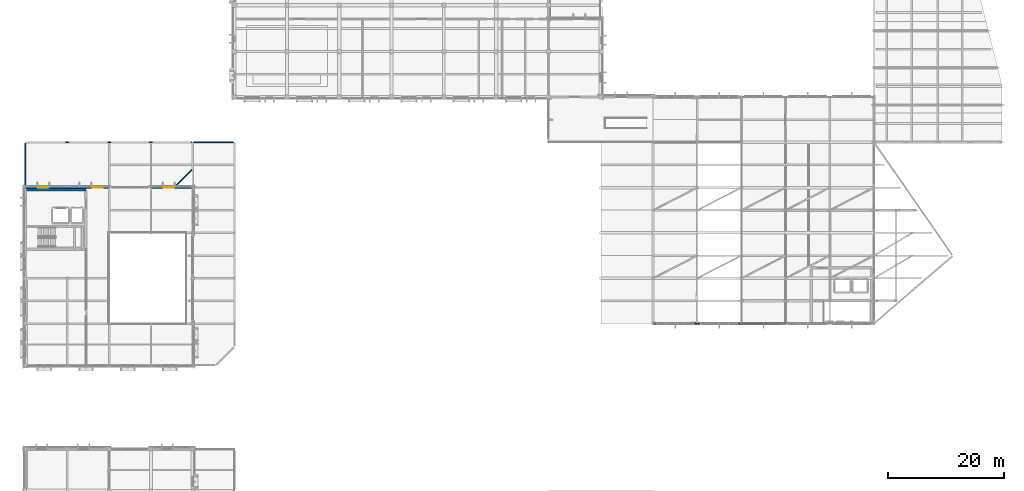
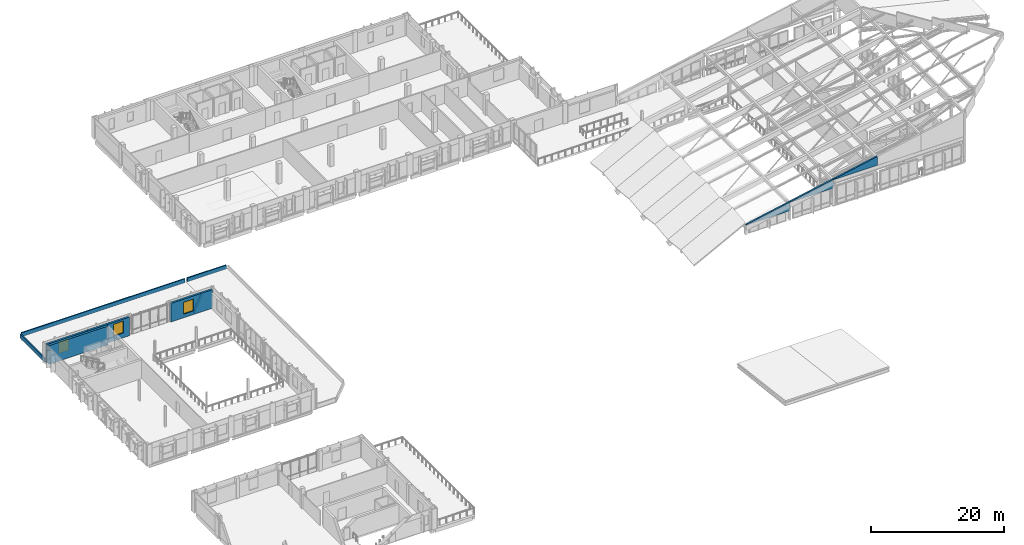
# One storey, part 51 of 73: 11 walls, 3 windows, 3 openings.
"""IFC4 building model written with IfcOpenShell, lengths in metres."""

from ifc_helpers import new_model, si_unit, direction, frame, frame_2d, origin, place, context, subcontext, project, spatial, polyline, rectangle, outline, extrude, material, layer, layer_set, type_object, element, fill, save


model = new_model("IFC4")

# Units and contexts
model_context = context("Model", 3, precision=1e-05, world=origin(), true_north=direction((0.0, 1.0)))
body_context = subcontext(model_context, "Body", "Model", "MODEL_VIEW")
ifc_project = project(units=[si_unit("LENGTHUNIT", "METRE"), si_unit("AREAUNIT", "SQUARE_METRE"), si_unit("VOLUMEUNIT", "CUBIC_METRE"), si_unit("PLANEANGLEUNIT", "RADIAN"), si_unit("MASSUNIT", "GRAM", prefix="KILO")], contexts=[model_context])

# Site, building, storey
site_placement = place(None, origin())
site = spatial("IfcSite", under=ifc_project, at=site_placement, CompositionType="ELEMENT")
building_placement = place(site_placement, origin())
building = spatial("IfcBuilding", under=site, at=building_placement, Name="Vervanel Yard Central Library", CompositionType="ELEMENT")
storey_placement = place(building_placement, frame((0.0, 0.0, 12.780029296875)))
storey = spatial("IfcBuildingStorey", under=building, at=storey_placement, Name="L03", CompositionType="ELEMENT", Elevation=12.780029296875)

# Walls
ifc_material_1 = material(Name="Concrete C40/50", Category="concrete")
ifc_layer_1 = layer(ifc_material_1, 0.280029296875, Category="concrete")
ifc_layer_set_1 = layer_set([ifc_layer_1], Name="Concrete C40/50")
wall_type_1 = type_object("IfcWallType", Name="Board-Marked Concrete Spandrel Wall 280", PredefinedType="SOLIDWALL", material=ifc_layer_set_1)
wall_1_placement = place(storey_placement, frame((108.0, 43.199951171875, 1.679931640625), z_axis=(0.0, 0.0, 1.0), x_axis=(1.0, 0.0, 0.0)))
element("IfcWall", 1, at=wall_1_placement, inside=storey, type_object=wall_type_1, Name="L03 Board-Marked Concrete Spandrel Wall 280 EWALL-L03-0165", PredefinedType="SOLIDWALL", context=body_context, shape_type="SweptSolid", body=[
    extrude(outline(polyline([(0.0, 0.0), (7.60009765625, 0.0), (7.60009765625, 1.6171875), (0.0, 0.10009765625), (0.0, 0.0)])), frame((0.0, 0.14013671875, 0.0), z_axis=(0.0, -1.0, 0.0), x_axis=(1.0, 0.0, 0.0)), (0.0, 0.0, 1.0), 0.280029296875),
])
wall_2_placement = place(storey_placement, frame((115.60009765625, 43.199951171875, 3.197021484375), z_axis=(0.0, 0.0, 1.0), x_axis=(1.0, 0.0, 0.0)))
element("IfcWall", 2, at=wall_2_placement, inside=storey, type_object=wall_type_1, Name="L03 Board-Marked Concrete Spandrel Wall 280 EWALL-L03-0166", PredefinedType="SOLIDWALL", context=body_context, shape_type="SweptSolid", body=[
    extrude(outline(polyline([(0.0, 0.0), (7.599853515625, 0.0), (7.60009765625, 1.616943359375), (0.0, 0.10009765625), (0.0, 0.0)])), frame((0.0, 0.14013671875, 0.0), z_axis=(0.0, -1.0, 0.0), x_axis=(1.0, 0.0, 0.0)), (0.0, 0.0, 1.0), 0.280029296875),
])
wall_3_placement = place(storey_placement, frame((123.199951171875, 43.199951171875, 4.714111328125), z_axis=(0.0, 0.0, 1.0), x_axis=(1.0, 0.0, 0.0)))
element("IfcWall", 3, at=wall_3_placement, inside=storey, type_object=wall_type_1, Name="L03 Board-Marked Concrete Spandrel Wall 280 EWALL-L03-0167", PredefinedType="SOLIDWALL", context=body_context, shape_type="SweptSolid", body=[
    extrude(outline(polyline([(0.0, 0.0), (7.60009765625, 0.0), (7.60009765625, 1.616943359375), (0.0, 0.099853515625), (0.0, 0.0)])), frame((0.0, 0.14013671875, 0.0), z_axis=(0.0, -1.0, 0.0), x_axis=(1.0, 0.0, 0.0)), (0.0, 0.0, 1.0), 0.280029296875),
])
ifc_material_2 = material(Name="Concrete C45/55", Category="concrete")
ifc_layer_2 = layer(ifc_material_2, 0.39990234375, Category="concrete")
ifc_layer_set_2 = layer_set([ifc_layer_2], Name="Concrete C45/55")
wall_type_2 = type_object("IfcWallType", Name="Core Primary Shear Wall 400", PredefinedType="SHEAR", material=ifc_layer_set_2)
wall_4_placement = place(storey_placement, frame((0.169921875, 66.199951171875, 0.0), z_axis=(0.0, 0.0, 1.0), x_axis=(1.0, 0.0, 0.0)))
element("IfcWall", 4, at=wall_4_placement, inside=storey, type_object=wall_type_2, Name="L03 CORE-C Shear Wall N", PredefinedType="SHEAR", context=body_context, shape_type="SweptSolid", body=[
    extrude(rectangle(XDim=10.22998046875, YDim=0.39990234375, at=frame_2d((5.114990234375, 0.0))), origin(), (0.0, 0.0, 1.0), 3.419921875),
])

# Wall, opening, window
ifc_layer_3 = layer(ifc_material_2, 0.340087890625, Category="concrete")
ifc_layer_set_3 = layer_set([ifc_layer_3], Name="Concrete C45/55")
wall_type_3 = type_object("IfcWallType", Name="Exterior Bearing Concrete Frame Wall 340", PredefinedType="SOLIDWALL", material=ifc_layer_set_3)
wall_5_placement = place(storey_placement, frame((0.0, 66.60009765625, 0.0), z_axis=(0.0, 0.0, 1.0), x_axis=(1.0, 0.0, 0.0)))
wall_5 = element("IfcWall", 5, at=wall_5_placement, inside=storey, type_object=wall_type_3, Name="L03 Exterior Bearing Concrete Frame Wall 340 EWALL-L03-0135", PredefinedType="SOLIDWALL", context=body_context, shape_type="SweptSolid", body=[
    extrude(rectangle(XDim=7.199951171875, YDim=0.340087890625, at=frame_2d((3.60009765625, 0.0))), origin(), (0.0, 0.0, 1.0), 3.419921875),
])
opening_1_placement = place(wall_5_placement, frame((2.199951171875, 0.0, 0.89990234375)))
opening_1 = element("IfcOpeningElement", 6, at=opening_1_placement, cuts=wall_5, Name="Opening WN-23", PredefinedType="OPENING", context=body_context, shape_type="SweptSolid", body=[
    extrude(rectangle(XDim=1.75, YDim=2.14990234375, at=frame_2d((0.875, 1.074951171875))), frame((0.0, 0.179931640625, 0.0), z_axis=(0.0, -1.0, 0.0), x_axis=(1.0, 0.0, 0.0)), (0.0, 0.0, 1.0), 0.360107421875),
])
ifc_material_3 = material(Name="Double low-E laminated solar-control glass", Category="glass")
window_type = type_object("IfcWindowType", Name="Atrium Northlight Window 1750x2150", PartitioningType="SINGLE_PANEL", PredefinedType="WINDOW", material=ifc_material_3)
window_1_placement = place(opening_1_placement, origin())
window_1 = element("IfcWindow", 7, at=window_1_placement, inside=storey, type_object=window_type, Name="L03 Atrium Northlight Window 1750x2150 182", OverallHeight=2.14990234375, OverallWidth=1.75, PartitioningType="SINGLE_PANEL", PredefinedType="WINDOW", context=body_context, shape_type="SweptSolid", body=[
    extrude(rectangle(XDim=1.75, YDim=2.14990234375, at=frame_2d((0.875, 1.074951171875))), frame((0.0, 0.030029296875, 0.0), z_axis=(0.0, -1.0, 0.0), x_axis=(1.0, 0.0, 0.0)), (0.0, 0.0, 1.0), 0.06005859375),
])
fill(opening_1, window_1)

wall_6_placement = place(storey_placement, frame((7.199951171875, 66.60009765625, 0.0), z_axis=(0.0, 0.0, 1.0), x_axis=(1.0, 0.0, 0.0)))
wall_6 = element("IfcWall", 8, at=wall_6_placement, inside=storey, type_object=wall_type_3, Name="L03 Exterior Bearing Concrete Frame Wall 340 EWALL-L03-0137", PredefinedType="SOLIDWALL", context=body_context, shape_type="SweptSolid", body=[
    extrude(rectangle(XDim=7.199951171875, YDim=0.340087890625, at=frame_2d((3.60009765625, 0.0))), origin(), (0.0, 0.0, 1.0), 3.419921875),
])
opening_2_placement = place(wall_6_placement, frame((4.39990234375, 0.0, 0.89990234375)))
opening_2 = element("IfcOpeningElement", 9, at=opening_2_placement, cuts=wall_6, Name="Opening WN-23", PredefinedType="OPENING", context=body_context, shape_type="SweptSolid", body=[
    extrude(rectangle(XDim=1.75, YDim=2.14990234375, at=frame_2d((0.875, 1.074951171875))), frame((0.0, 0.179931640625, 0.0), z_axis=(0.0, -1.0, 0.0), x_axis=(1.0, 0.0, 0.0)), (0.0, 0.0, 1.0), 0.360107421875),
])
window_2_placement = place(opening_2_placement, origin())
window_2 = element("IfcWindow", 10, at=window_2_placement, inside=storey, type_object=window_type, Name="L03 Atrium Northlight Window 1750x2150 184", OverallHeight=2.14990234375, OverallWidth=1.75, PartitioningType="SINGLE_PANEL", PredefinedType="WINDOW", context=body_context, shape_type="SweptSolid", body=[
    extrude(rectangle(XDim=1.75, YDim=2.14990234375, at=frame_2d((0.875, 1.074951171875))), frame((0.0, 0.030029296875, 0.0), z_axis=(0.0, -1.0, 0.0), x_axis=(1.0, 0.0, 0.0)), (0.0, 0.0, 1.0), 0.06005859375),
])
fill(opening_2, window_2)

wall_7_placement = place(storey_placement, frame((21.60009765625, 66.60009765625, 0.0), z_axis=(0.0, 0.0, 1.0), x_axis=(1.0, 0.0, 0.0)))
wall_7 = element("IfcWall", 11, at=wall_7_placement, inside=storey, type_object=wall_type_3, Name="L03 Exterior Bearing Concrete Frame Wall 340 EWALL-L03-0140", PredefinedType="SOLIDWALL", context=body_context, shape_type="SweptSolid", body=[
    extrude(rectangle(XDim=7.199951171875, YDim=0.340087890625, at=frame_2d((3.60009765625, 0.0))), origin(), (0.0, 0.0, 1.0), 3.419921875),
])
opening_3_placement = place(wall_7_placement, frame((2.199951171875, 0.0, 0.68310546875)))
opening_3 = element("IfcOpeningElement", 12, at=opening_3_placement, cuts=wall_7, Name="Opening WN-23", PredefinedType="OPENING", context=body_context, shape_type="SweptSolid", body=[
    extrude(rectangle(XDim=1.75, YDim=2.14990234375, at=frame_2d((0.875, 1.074951171875))), frame((0.0, 0.179931640625, 0.0), z_axis=(0.0, -1.0, 0.0), x_axis=(1.0, 0.0, 0.0)), (0.0, 0.0, 1.0), 0.360107421875),
])
window_3_placement = place(opening_3_placement, origin())
window_3 = element("IfcWindow", 13, at=window_3_placement, inside=storey, type_object=window_type, Name="L03 Atrium Northlight Window 1750x2150 187", OverallHeight=2.14990234375, OverallWidth=1.75, PartitioningType="SINGLE_PANEL", PredefinedType="WINDOW", context=body_context, shape_type="SweptSolid", body=[
    extrude(rectangle(XDim=1.75, YDim=2.14990234375, at=frame_2d((0.875, 1.074951171875))), frame((0.0, 0.030029296875, 0.0), z_axis=(0.0, -1.0, 0.0), x_axis=(1.0, 0.0, 0.0)), (0.0, 0.0, 1.0), 0.06005859375),
])
fill(opening_3, window_3)

# Walls
ifc_layer_4 = layer(ifc_material_1, 0.199951171875, Category="concrete")
ifc_layer_set_4 = layer_set([ifc_layer_4], Name="Concrete C40/50")
wall_type_4 = type_object("IfcWallType", Name="Setback Roof Concrete Parapet 200", PredefinedType="PARAPET", material=ifc_layer_set_4)
wall_8_placement = place(storey_placement, frame((35.800048828125, 74.39990234375, 0.0), z_axis=(0.0, 0.0, 1.0), x_axis=(-1.0, 0.0, 0.0)))
element("IfcWall", 14, at=wall_8_placement, inside=storey, type_object=wall_type_4, Name="L03 Roof Parapet 15", PredefinedType="PARAPET", context=body_context, shape_type="SweptSolid", body=[
    extrude(rectangle(XDim=6.800048828125, YDim=0.199951171875, at=frame_2d((3.39990234375, 0.0))), origin(), (0.0, 0.0, 1.0), 0.719970703125),
])
wall_9_placement = place(storey_placement, frame((25.741455078125, 66.741455078125, 0.0), z_axis=(0.0, 0.0, 1.0), x_axis=(0.707106781187, 0.707106781187, 0.0)))
element("IfcWall", 15, at=wall_9_placement, inside=storey, type_object=wall_type_4, Name="L03 Roof Parapet 16", PredefinedType="PARAPET", context=body_context, shape_type="SweptSolid", body=[
    extrude(rectangle(XDim=4.12548828125, YDim=0.199951171875, at=frame_2d((2.062744140625, 0.0))), origin(), (0.0, 0.0, 1.0), 0.719970703125),
])
wall_10_placement = place(storey_placement, frame((28.60009765625, 74.39990234375, 0.0), z_axis=(0.0, 0.0, 1.0), x_axis=(-1.0, 0.0, 0.0)))
element("IfcWall", 16, at=wall_10_placement, inside=storey, type_object=wall_type_4, Name="L03 Roof Parapet 17", PredefinedType="PARAPET", context=body_context, shape_type="SweptSolid", body=[
    extrude(rectangle(XDim=28.400146484375, YDim=0.199951171875, at=frame_2d((14.2001953125, 0.0))), origin(), (0.0, 0.0, 1.0), 0.719970703125),
])
wall_11_placement = place(storey_placement, frame((0.0, 74.199951171875, 0.0), z_axis=(0.0, 0.0, 1.0), x_axis=(0.0, -1.0, 0.0)))
element("IfcWall", 17, at=wall_11_placement, inside=storey, type_object=wall_type_4, Name="L03 Roof Parapet 18", PredefinedType="PARAPET", context=body_context, shape_type="SweptSolid", body=[
    extrude(rectangle(XDim=7.39990234375, YDim=0.199951171875, at=frame_2d((3.699951171875, 0.0))), origin(), (0.0, 0.0, 1.0), 0.719970703125),
])

save(model, "model.ifc")
